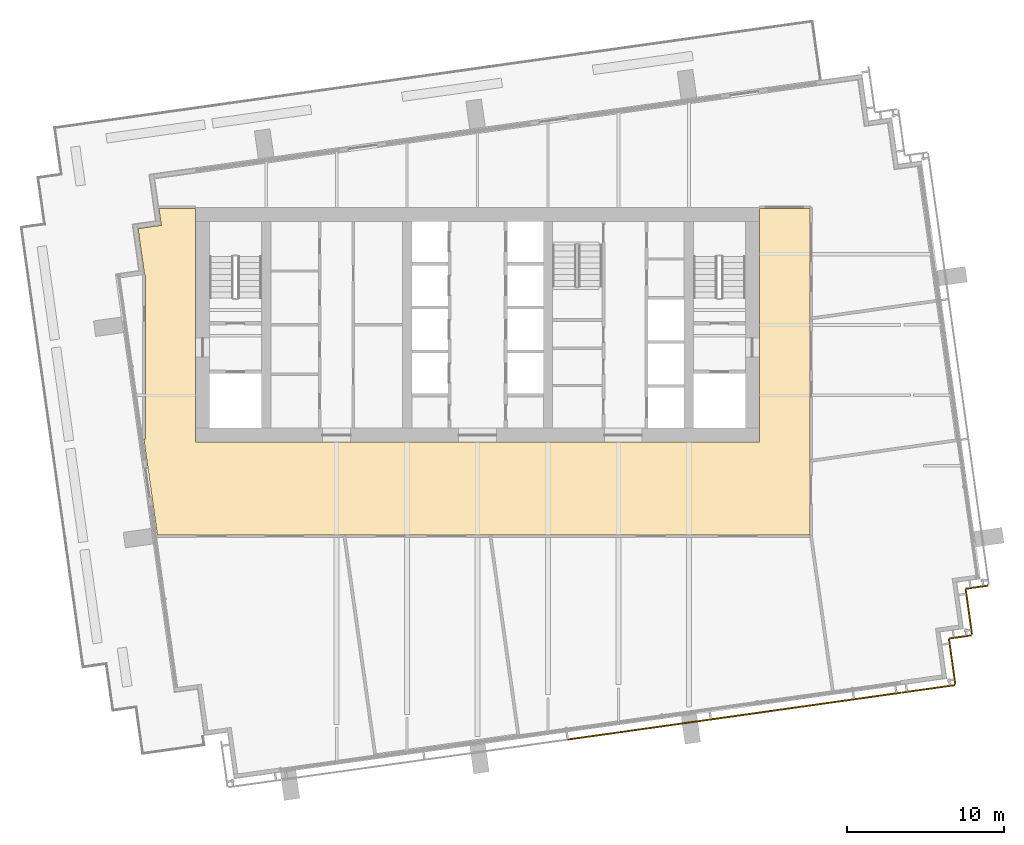
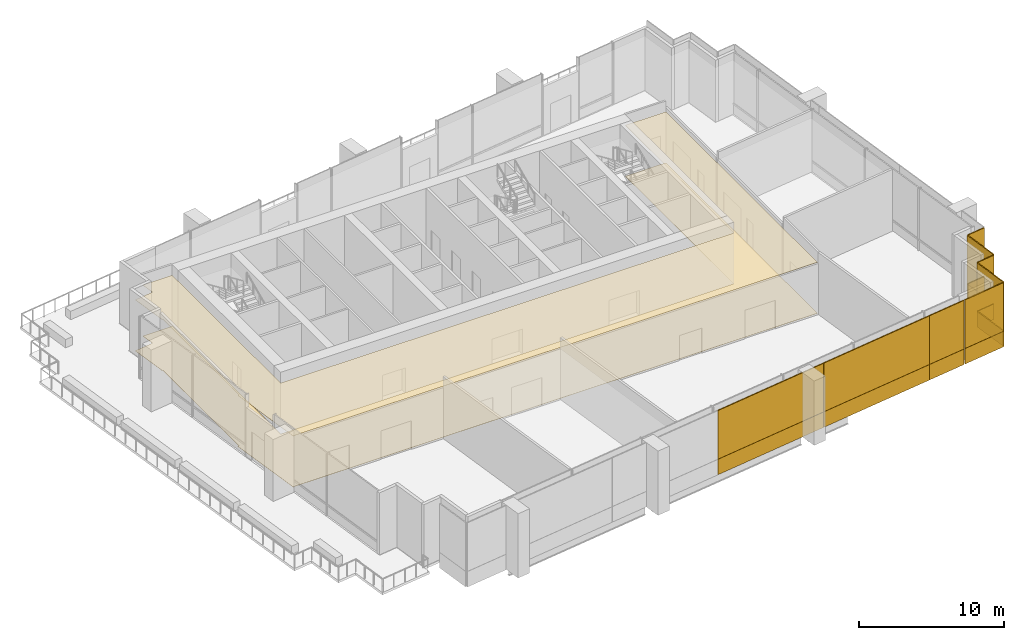
# One storey, part 12 of 18: 18 coverings.
"""IFC4 building model written with IfcOpenShell, lengths in metres."""

from ifc_helpers import new_model, si_unit, direction, frame, origin, origin_2d, place, context, subcontext, project, spatial, polyline, rectangle, outline, extrude, material, layer, layer_set, type_object, element, save


model = new_model("IFC4")

# Units and contexts
model_context = context("Model", 3, precision=1e-05, world=origin(), true_north=direction((0.0, 1.0)))
body_context = subcontext(model_context, "Body", "Model", "MODEL_VIEW")
ifc_project = project(units=[si_unit("LENGTHUNIT", "METRE"), si_unit("AREAUNIT", "SQUARE_METRE"), si_unit("VOLUMEUNIT", "CUBIC_METRE"), si_unit("PLANEANGLEUNIT", "RADIAN"), si_unit("MASSUNIT", "GRAM", prefix="KILO")], contexts=[model_context])

# Site, building, storey
site_placement = place(None, origin())
site = spatial("IfcSite", under=ifc_project, at=site_placement, CompositionType="ELEMENT")
building_placement = place(site_placement, origin())
building = spatial("IfcBuilding", under=site, at=building_placement, Name="Rattan Terrace Tower", CompositionType="ELEMENT")
storey_placement = place(building_placement, frame((0.0, 0.0, 208.10009765625)))
storey = spatial("IfcBuildingStorey", under=building, at=storey_placement, Name="L47", CompositionType="ELEMENT", Elevation=208.10009765625)

# Coverings
ifc_material_1 = material(Name="Solid terracotta", Category="masonry")
ifc_layer_1 = layer(ifc_material_1, 0.090087890625)
ifc_layer_set_1 = layer_set([ifc_layer_1], Name="Facade Terracotta Band Panel HZ")
covering_type_1 = type_object("IfcCoveringType", Name="Facade Terracotta Band Panel HZ", PredefinedType="CLADDING", material=ifc_layer_set_1)
covering_1_placement = place(storey_placement, frame((28.7919921875, -23.2470703125, -0.18994140625), z_axis=(0.0, 0.0, 1.0), x_axis=(0.990247240581, 0.139321220646, 0.0)))
element("IfcCovering", 1, at=covering_1_placement, inside=storey, type_object=covering_type_1, Name="OUTER SKIN panel L47-1A", PredefinedType="CLADDING", context=body_context, shape_type="SweptSolid", body=[
    extrude(rectangle(XDim=3.3701171875, YDim=0.090087890625, at=origin_2d()), origin(), (0.0, 0.0, 1.0), 1.300048828125),
])
covering_2_placement = place(storey_placement, frame((30.304443359375, -21.50439453125, -0.18994140625), z_axis=(0.0, 0.0, 1.0), x_axis=(-0.138994363123, 0.990293172258, 0.0)))
element("IfcCovering", 2, at=covering_2_placement, inside=storey, type_object=covering_type_1, Name="OUTER SKIN panel L47-2A", PredefinedType="CLADDING", context=body_context, shape_type="SweptSolid", body=[
    extrude(rectangle(XDim=2.919921875, YDim=0.090087890625, at=origin_2d()), origin(), (0.0, 0.0, 1.0), 1.300048828125),
])
covering_3_placement = place(storey_placement, frame((30.825927734375, -19.93212890625, -0.18994140625), z_axis=(0.0, 0.0, 1.0), x_axis=(0.990332587523, 0.138713251317, 0.0)))
element("IfcCovering", 3, at=covering_3_placement, inside=storey, type_object=covering_type_1, Name="OUTER SKIN panel L47-3A", PredefinedType="CLADDING", context=body_context, shape_type="SweptSolid", body=[
    extrude(rectangle(XDim=1.419677734375, YDim=0.090087890625, at=origin_2d()), origin(), (0.0, 0.0, 1.0), 1.300048828125),
])
covering_4_placement = place(storey_placement, frame((31.3720703125, -18.325439453125, -0.18994140625), z_axis=(0.0, 0.0, 1.0), x_axis=(-0.139321220646, 0.990247240581, 0.0)))
element("IfcCovering", 4, at=covering_4_placement, inside=storey, type_object=covering_type_1, Name="OUTER SKIN panel L47-4A", PredefinedType="CLADDING", context=body_context, shape_type="SweptSolid", body=[
    extrude(rectangle(XDim=2.92041015625, YDim=0.090087890625, at=origin_2d()), origin(), (0.0, 0.0, 1.0), 1.300048828125),
])
covering_5_placement = place(storey_placement, frame((31.893310546875, -16.752197265625, -0.18994140625), z_axis=(0.0, 0.0, 1.0), x_axis=(0.99025370695, 0.139275252184, 0.0)))
element("IfcCovering", 5, at=covering_5_placement, inside=storey, type_object=covering_type_1, Name="OUTER SKIN panel L47-5A", PredefinedType="CLADDING", context=body_context, shape_type="SweptSolid", body=[
    extrude(rectangle(XDim=1.420654296875, YDim=0.090087890625, at=origin_2d()), origin(), (0.0, 0.0, 1.0), 1.300048828125),
])
for number, where, z_axis, x_axis, name in (
    (6, (10.32666015625, -25.842529296875, -0.18994140625), (0.0, 0.0, 1.0), (0.990267457022, 0.139177453499, 0.0), "OUTER SKIN panel L47-17A"),
    (7, (19.4677734375, -24.557861328125, -0.18994140625), (0.0, 0.0, 1.0), (0.990267457022, 0.139177453499, 0.0), "OUTER SKIN panel L47-18A"),
):
    element("IfcCovering", number, at=place(storey_placement, frame(where, z_axis=z_axis, x_axis=x_axis)), inside=storey, type_object=covering_type_1, Name=name, PredefinedType="CLADDING", context=body_context, shape_type="SweptSolid", body=[
        extrude(rectangle(XDim=9.2109375, YDim=0.090087890625, at=origin_2d()), origin(), (0.0, 0.0, 1.0), 1.300048828125),
    ])
covering_6_placement = place(storey_placement, frame((25.546142578125, -23.70361328125, -0.18994140625), z_axis=(0.0, 0.0, 1.0), x_axis=(0.990267457022, 0.139177453499, 0.0)))
element("IfcCovering", 8, at=covering_6_placement, inside=storey, type_object=covering_type_1, Name="OUTER SKIN panel L47-19A", PredefinedType="CLADDING", context=body_context, shape_type="SweptSolid", body=[
    extrude(rectangle(XDim=3.025390625, YDim=0.090087890625, at=origin_2d()), origin(), (0.0, 0.0, 1.0), 1.300048828125),
])
ifc_material_2 = material(Name="Perforated terracotta", Category="masonry")
ifc_layer_2 = layer(ifc_material_2, 0.080078125)
ifc_layer_set_2 = layer_set([ifc_layer_2], Name="Facade Terracotta Screen Panel HZ")
covering_type_2 = type_object("IfcCoveringType", Name="Facade Terracotta Screen Panel HZ", PredefinedType="CLADDING", material=ifc_layer_set_2)
covering_7_placement = place(storey_placement, frame((28.791259765625, -23.2421875, 1.10986328125), z_axis=(0.0, 0.0, 1.0), x_axis=(0.990247240581, 0.139321220646, 0.0)))
element("IfcCovering", 9, at=covering_7_placement, inside=storey, type_object=covering_type_2, Name="OUTER SKIN panel L47-1B", PredefinedType="CLADDING", context=body_context, shape_type="SweptSolid", body=[
    extrude(rectangle(XDim=3.3701171875, YDim=0.080078125, at=origin_2d()), origin(), (0.0, 0.0, 1.0), 4.080078125),
])
covering_8_placement = place(storey_placement, frame((30.299560546875, -21.505126953125, 1.10986328125), z_axis=(0.0, 0.0, 1.0), x_axis=(-0.138994363123, 0.990293172258, 0.0)))
element("IfcCovering", 10, at=covering_8_placement, inside=storey, type_object=covering_type_2, Name="OUTER SKIN panel L47-2B", PredefinedType="CLADDING", context=body_context, shape_type="SweptSolid", body=[
    extrude(rectangle(XDim=2.919921875, YDim=0.080078125, at=origin_2d()), origin(), (0.0, 0.0, 1.0), 4.080078125),
])
covering_9_placement = place(storey_placement, frame((30.8251953125, -19.927001953125, 1.10986328125), z_axis=(0.0, 0.0, 1.0), x_axis=(0.990332587523, 0.138713251317, 0.0)))
element("IfcCovering", 11, at=covering_9_placement, inside=storey, type_object=covering_type_2, Name="OUTER SKIN panel L47-3B", PredefinedType="CLADDING", context=body_context, shape_type="SweptSolid", body=[
    extrude(rectangle(XDim=1.419677734375, YDim=0.080078125, at=origin_2d()), origin(), (0.0, 0.0, 1.0), 4.080078125),
])
covering_10_placement = place(storey_placement, frame((31.3671875, -18.326171875, 1.10986328125), z_axis=(0.0, 0.0, 1.0), x_axis=(-0.139321220646, 0.990247240581, 0.0)))
element("IfcCovering", 12, at=covering_10_placement, inside=storey, type_object=covering_type_2, Name="OUTER SKIN panel L47-4B", PredefinedType="CLADDING", context=body_context, shape_type="SweptSolid", body=[
    extrude(rectangle(XDim=2.92041015625, YDim=0.080078125, at=origin_2d()), origin(), (0.0, 0.0, 1.0), 4.080078125),
])
covering_11_placement = place(storey_placement, frame((31.892578125, -16.747314453125, 1.10986328125), z_axis=(0.0, 0.0, 1.0), x_axis=(0.99025370695, 0.139275252184, 0.0)))
element("IfcCovering", 13, at=covering_11_placement, inside=storey, type_object=covering_type_2, Name="OUTER SKIN panel L47-5B", PredefinedType="CLADDING", context=body_context, shape_type="SweptSolid", body=[
    extrude(rectangle(XDim=1.420654296875, YDim=0.080078125, at=origin_2d()), origin(), (0.0, 0.0, 1.0), 4.080078125),
])
for number, where, z_axis, x_axis, name in (
    (14, (10.325927734375, -25.837646484375, 1.10986328125), (0.0, 0.0, 1.0), (0.990267457022, 0.139177453499, 0.0), "OUTER SKIN panel L47-17B"),
    (15, (19.467041015625, -24.552978515625, 1.10986328125), (0.0, 0.0, 1.0), (0.990267457022, 0.139177453499, 0.0), "OUTER SKIN panel L47-18B"),
):
    element("IfcCovering", number, at=place(storey_placement, frame(where, z_axis=z_axis, x_axis=x_axis)), inside=storey, type_object=covering_type_2, Name=name, PredefinedType="CLADDING", context=body_context, shape_type="SweptSolid", body=[
        extrude(rectangle(XDim=9.2109375, YDim=0.080078125, at=origin_2d()), origin(), (0.0, 0.0, 1.0), 4.080078125),
    ])
covering_12_placement = place(storey_placement, frame((25.54541015625, -23.69873046875, 1.10986328125), z_axis=(0.0, 0.0, 1.0), x_axis=(0.990267457022, 0.139177453499, 0.0)))
element("IfcCovering", 16, at=covering_12_placement, inside=storey, type_object=covering_type_2, Name="OUTER SKIN panel L47-19B", PredefinedType="CLADDING", context=body_context, shape_type="SweptSolid", body=[
    extrude(rectangle(XDim=3.025390625, YDim=0.080078125, at=origin_2d()), origin(), (0.0, 0.0, 1.0), 4.080078125),
])
ifc_material_3 = material(Name="Polished limestone", Category="masonry")
ifc_layer_3 = layer(ifc_material_3, 0.02001953125)
ifc_layer_set_3 = layer_set([ifc_layer_3], Name="Lobby Floor Finish Stone 20")
covering_type_3 = type_object("IfcCoveringType", Name="Lobby Floor Finish Stone 20", PredefinedType="FLOORING", material=ifc_layer_set_3)
covering_13_placement = place(storey_placement, origin())
element("IfcCovering", 17, at=covering_13_placement, inside=storey, type_object=covering_type_3, Name="Floor finish L47-101", PredefinedType="FLOORING", context=body_context, shape_type="SweptSolid", body=[
    extrude(outline(polyline([(-21.674072265625, 6.139892578125), (-21.300048828125, 3.486083984375), (-21.300048828125, 3.48291015625), (-21.256103515625, 3.169921875), (-21.298095703125, 3.1640625), (-21.199951171875, 3.1640625), (-21.199951171875, -7.300048828125), (-21.300048828125, -7.300048828125), (-20.428955078125, -13.498046875), (-20.428955078125, -13.425048828125), (21.22509765625, -13.425048828125), (21.22509765625, 7.425048828125), (18.0, 7.425048828125), (18.0, -7.5), (-18.0, -7.5), (-18.0, 7.425048828125), (-20.340087890625, 7.425048828125), (-20.18896484375, 6.347900390625), (-21.300048828125, 6.19189453125), (-21.674072265625, 6.139892578125)])), origin(), (0.0, 0.0, 1.0), 0.02001953125),
])
ifc_material_4 = material(Name="Gypsum board, painted")
ifc_layer_4 = layer(ifc_material_4, 0.02490234375)
ifc_layer_set_4 = layer_set([ifc_layer_4], Name="Suspended Ceiling Gypsum 25")
covering_type_4 = type_object("IfcCoveringType", Name="Suspended Ceiling Gypsum 25", PredefinedType="CEILING", material=ifc_layer_set_4)
covering_14_placement = place(storey_placement, frame((0.0, 0.0, 4.27490234375)))
element("IfcCovering", 18, at=covering_14_placement, inside=storey, type_object=covering_type_4, Name="Ceiling L47-101", PredefinedType="CEILING", context=body_context, shape_type="SweptSolid", body=[
    extrude(outline(polyline([(-21.674072265625, 6.139892578125), (-21.300048828125, 3.486083984375), (-21.300048828125, 3.48291015625), (-21.256103515625, 3.169921875), (-21.298095703125, 3.1640625), (-21.199951171875, 3.1640625), (-21.199951171875, -7.300048828125), (-21.300048828125, -7.300048828125), (-20.428955078125, -13.498046875), (-20.428955078125, -13.425048828125), (21.22509765625, -13.425048828125), (21.22509765625, 7.425048828125), (18.0, 7.425048828125), (18.0, -7.5), (-18.0, -7.5), (-18.0, 7.425048828125), (-20.340087890625, 7.425048828125), (-20.18896484375, 6.347900390625), (-21.300048828125, 6.19189453125), (-21.674072265625, 6.139892578125)])), origin(), (0.0, 0.0, 1.0), 0.02490234375),
])

save(model, "model.ifc")
